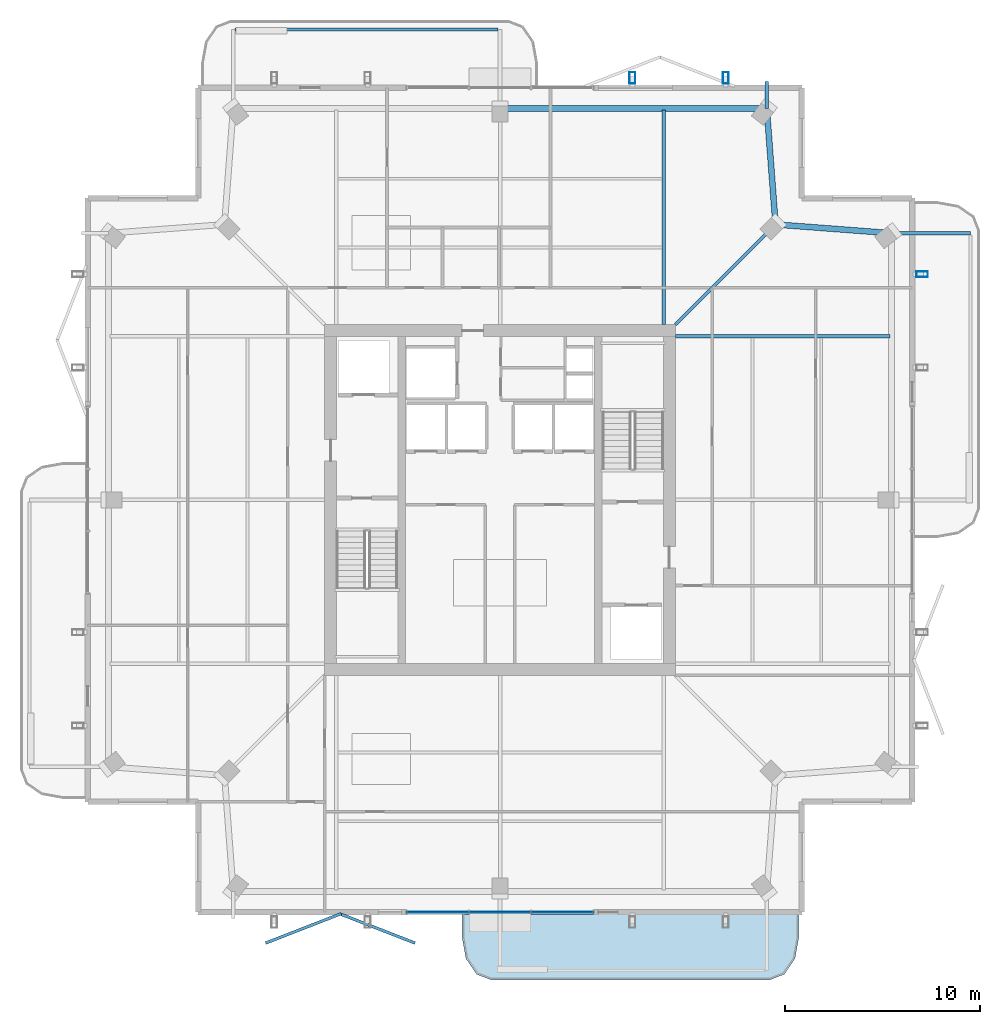
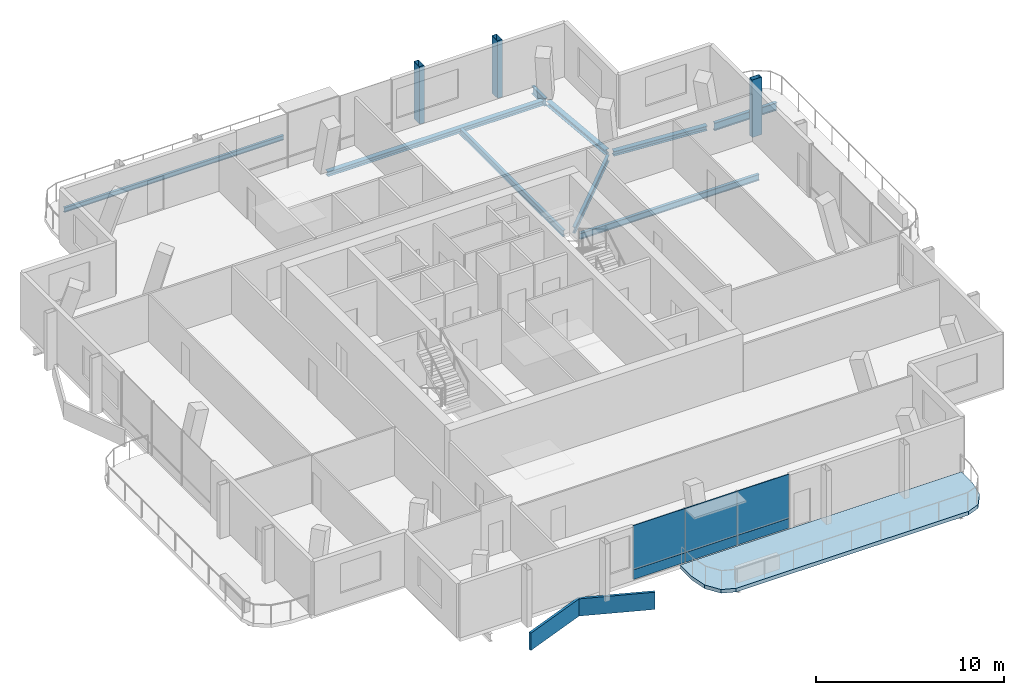
# One storey, part 13 of 20: 9 beams, 8 plates, 3 members, 1 slab, 1 element without a shape of its own.
"""IFC4 building model written with IfcOpenShell, lengths in metres."""

from ifc_helpers import new_model, si_unit, direction, frame, origin, origin_2d, place, context, subcontext, project, spatial, polyline, rectangle, hollow_rectangle, i_section, outline, extrude, material, layer, layer_set, material_profile, profile_set, type_object, element, aggregate, save


model = new_model("IFC4")

# Units and contexts
model_context = context("Model", 3, precision=1e-05, world=origin(), true_north=direction((0.0, 1.0)))
body_context = subcontext(model_context, "Body", "Model", "MODEL_VIEW")
ifc_project = project(units=[si_unit("LENGTHUNIT", "METRE"), si_unit("AREAUNIT", "SQUARE_METRE"), si_unit("VOLUMEUNIT", "CUBIC_METRE"), si_unit("PLANEANGLEUNIT", "RADIAN"), si_unit("MASSUNIT", "GRAM", prefix="KILO")], contexts=[model_context])

# Site, building, storey
site_placement = place(None, origin())
site = spatial("IfcSite", under=ifc_project, at=site_placement, CompositionType="ELEMENT")
building_placement = place(site_placement, origin())
building = spatial("IfcBuilding", under=site, at=building_placement, Name="Belovzor Exchange Tower", CompositionType="ELEMENT")
storey_placement = place(building_placement, frame((0.0, 0.0, 351.75)))
storey = spatial("IfcBuildingStorey", under=building, at=storey_placement, Name="L88", CompositionType="ELEMENT", Elevation=351.75)

# Beams
ifc_material_1 = material(Name="Steel S355", Category="steel")
ifc_material_profile_1 = material_profile(ifc_material_1, i_section(OverallWidth=0.199951171875, OverallDepth=0.5, WebThickness=0.01025390625, FlangeThickness=0.01611328125, at=origin_2d()))
ifc_profile_set_1 = profile_set([ifc_material_profile_1], Name="Steel S355")
beam_type_1 = type_object("IfcBeamType", Name="Planted Balcony Cantilever Beam IPE 500", PredefinedType="BEAM", material=ifc_profile_set_1)
beam_1_placement = place(storey_placement, frame((49.1201171875, 42.5, -0.489990234375), z_axis=(1.0, 0.0, 0.0), x_axis=(0.0, 1.0, 0.0)))
element("IfcBeam", 1, at=beam_1_placement, inside=storey, type_object=beam_type_1, Name="BC-500 Planted Balcony Cantilever Beam IPE 500", PredefinedType="BEAM", context=body_context, shape_type="SweptSolid", body=[
    extrude(i_section(OverallWidth=0.199951171875, OverallDepth=0.5, WebThickness=0.01025390625, FlangeThickness=0.01611328125, at=origin_2d()), origin(), (0.0, 0.0, 1.0), 3.849853515625),
])
beam_2_placement = place(storey_placement, frame((42.5, 48.89990234375, -0.489990234375), z_axis=(0.0, 1.0, 0.0), x_axis=(-1.0, 0.0, 0.0)))
element("IfcBeam", 2, at=beam_2_placement, inside=storey, type_object=beam_type_1, Name="BC-500 Planted Balcony Cantilever Beam IPE 500", PredefinedType="BEAM", context=body_context, shape_type="SweptSolid", body=[
    extrude(i_section(OverallWidth=0.199951171875, OverallDepth=0.5, WebThickness=0.01025390625, FlangeThickness=0.01611328125, at=origin_2d()), origin(), (0.0, 0.0, 1.0), 1.400146484375),
])
ifc_material_2 = material(Name="Steel S355", Category="steel")
ifc_material_profile_2 = material_profile(ifc_material_2, i_section(OverallWidth=0.14990234375, OverallDepth=0.300048828125, WebThickness=0.007080078125, FlangeThickness=0.0107421875, at=origin_2d()))
ifc_profile_set_2 = profile_set([ifc_material_profile_2], Name="Steel S355")
beam_type_2 = type_object("IfcBeamType", Name="Planted Balcony Fascia Edge Beam IPE 300", PredefinedType="BEAM", material=ifc_profile_set_2)
beam_3_placement = place(storey_placement, frame((28.699951171875, 52.969970703125, -0.389892578125), z_axis=(-1.0, 0.0, 0.0), x_axis=(0.0, -1.0, 0.0)))
element("IfcBeam", 3, at=beam_3_placement, inside=storey, type_object=beam_type_2, Name="BC-300 Planted Balcony Fascia Edge Beam IPE 300", PredefinedType="BEAM", context=body_context, shape_type="SweptSolid", body=[
    extrude(i_section(OverallWidth=0.14990234375, OverallDepth=0.300048828125, WebThickness=0.007080078125, FlangeThickness=0.0107421875, at=origin_2d()), origin(), (0.0, 0.0, 1.0), 13.5),
])

# Members
ifc_material_3 = material(Name="Extruded Architectural Terracotta on Steel S355 Carrier", Category="masonry")
ifc_material_profile_3 = material_profile(ifc_material_3, hollow_rectangle(XDim=0.300048828125, YDim=0.60009765625, WallThickness=0.01611328125, at=origin_2d()))
ifc_profile_set_3 = profile_set([ifc_material_profile_3], Name="Extruded Architectural Terracotta on Steel S355 Carrier")
member_type = type_object("IfcMemberType", Name="Upper Crown Terracotta Fin Assembly 550", PredefinedType="USERDEFINED", material=ifc_profile_set_3)
for number, where, z_axis, x_axis, name in (
    (4, (35.60009765625, 50.47509765625, -0.239990234375), (0.0, 0.0, 1.0), (1.0, 0.0, 0.0), "FIN-TC055 Terracotta Facade Fin L88 N3"),
    (5, (40.39990234375, 50.47509765625, -0.239990234375), (0.0, 0.0, 1.0), (1.0, 0.0, 0.0), "FIN-TC055 Terracotta Facade Fin L88 N4"),
    (6, (50.47509765625, 40.39990234375, -0.239990234375), (0.0, 0.0, 1.0), (0.0, 1.0, 0.0), "FIN-TC055 Terracotta Facade Fin L88 E4"),
):
    element("IfcMember", number, at=place(storey_placement, frame(where, z_axis=z_axis, x_axis=x_axis)), inside=storey, type_object=member_type, Name=name, ObjectType="FIN", PredefinedType="USERDEFINED", context=body_context, shape_type="SweptSolid", body=[
        extrude(hollow_rectangle(XDim=0.300048828125, YDim=0.60009765625, WallThickness=0.01611328125, at=origin_2d()), origin(), (0.0, 0.0, 1.0), 3.72998046875),
    ])

# Beams
ifc_material_4 = material(Name="Steel S355", Category="steel")
ifc_material_profile_4 = material_profile(ifc_material_4, i_section(OverallWidth=0.179931640625, OverallDepth=0.39990234375, WebThickness=0.008544921875, FlangeThickness=0.013427734375, at=origin_2d()))
ifc_profile_set_4 = profile_set([ifc_material_profile_4], Name="Steel S355")
beam_type_3 = type_object("IfcBeamType", Name="Zone 5-6 Radial Composite Floor Beam IPE 400", PredefinedType="BEAM", material=ifc_profile_set_4)
for number, where, z_axis, x_axis, name in (
    (7, (37.199951171875, 37.800048828125, -0.43994140625), (0.0, 1.0, 0.0), (-1.0, 0.0, 0.0), "FB-400 Zone 5-6 Radial Composite Floor Beam IPE 400"),
    (8, (37.800048828125, 37.199951171875, -0.43994140625), (1.0, 0.0, 0.0), (0.0, 1.0, 0.0), "FB-400 Zone 5-6 Radial Composite Floor Beam IPE 400"),
):
    element("IfcBeam", number, at=place(storey_placement, frame(where, z_axis=z_axis, x_axis=x_axis)), inside=storey, type_object=beam_type_3, Name=name, PredefinedType="BEAM", context=body_context, shape_type="SweptSolid", body=[
        extrude(i_section(OverallWidth=0.179931640625, OverallDepth=0.39990234375, WebThickness=0.008544921875, FlangeThickness=0.013427734375, at=origin_2d()), origin(), (0.0, 0.0, 1.0), 11.02490234375),
    ])
beam_4_placement = place(storey_placement, frame((37.800048828125, 37.800048828125, -0.43994140625), z_axis=(0.707106781187, 0.707106781187, 0.0), x_axis=(-0.707106781187, 0.707106781187, 0.0)))
element("IfcBeam", 9, at=beam_4_placement, inside=storey, type_object=beam_type_3, Name="FB-400 Zone 5-6 Radial Composite Floor Beam IPE 400", PredefinedType="BEAM", context=body_context, shape_type="SweptSolid", body=[
    extrude(i_section(OverallWidth=0.179931640625, OverallDepth=0.39990234375, WebThickness=0.008544921875, FlangeThickness=0.013427734375, at=origin_2d()), origin(), (0.0, 0.0, 1.0), 7.000244140625),
])
ifc_material_5 = material(Name="Steel S355", Category="steel")
ifc_material_profile_5 = material_profile(ifc_material_5, i_section(OverallWidth=0.300048828125, OverallDepth=0.300048828125, WebThickness=0.008544921875, FlangeThickness=0.013916015625, at=origin_2d()))
ifc_profile_set_5 = profile_set([ifc_material_profile_5], Name="Steel S355")
beam_type_4 = type_object("IfcBeamType", Name="Zone 6 Primary Girder HEA 300", PredefinedType="BEAM", material=ifc_profile_set_5)
for number, where, z_axis, x_axis, name in (
    (10, (48.680908203125, 42.51708984375, -0.389892578125), (-0.99716387033, 0.075260983968, 0.0), (-0.075260983968, -0.99716387033, 0.0), "FG-Z6 Zone 6 Primary Girder HEA 300"),
    (11, (42.93310546875, 43.1689453125, -0.389892578125), (-0.075260983968, 0.99716387033, 0.0), (-0.99716387033, -0.075260983968, 0.0), "FG-Z6 Zone 6 Primary Girder HEA 300"),
):
    element("IfcBeam", number, at=place(storey_placement, frame(where, z_axis=z_axis, x_axis=x_axis)), inside=storey, type_object=beam_type_4, Name=name, PredefinedType="BEAM", context=body_context, shape_type="SweptSolid", body=[
        extrude(i_section(OverallWidth=0.300048828125, OverallDepth=0.300048828125, WebThickness=0.008544921875, FlangeThickness=0.013916015625, at=origin_2d()), origin(), (0.0, 0.0, 1.0), 5.527587890625),
    ])
beam_5_placement = place(storey_placement, frame((42.280029296875, 48.89990234375, -0.389892578125), z_axis=(-1.0, 0.0, 0.0), x_axis=(0.0, -1.0, 0.0)))
element("IfcBeam", 12, at=beam_5_placement, inside=storey, type_object=beam_type_4, Name="FG-Z6 Zone 6 Primary Girder HEA 300", PredefinedType="BEAM", context=body_context, shape_type="SweptSolid", body=[
    extrude(i_section(OverallWidth=0.300048828125, OverallDepth=0.300048828125, WebThickness=0.008544921875, FlangeThickness=0.013916015625, at=origin_2d()), origin(), (0.0, 0.0, 1.0), 13.260009765625),
])

# Curtain wall, plates
ifc_material_6 = material(Name="Anodised Aluminium Framing", Category="aluminium")
ifc_layer_1 = layer(ifc_material_6, 0.179931640625)
ifc_layer_set_1 = layer_set([ifc_layer_1], Name="Anodised Aluminium Framing")
curtain_wall_type = type_object("IfcCurtainWallType", Name="Recessed Loggia Low-Iron Triple-Glazed Curtain Wall", PredefinedType="NOTDEFINED", material=ifc_layer_set_1)
curtain_wall_placement = place(storey_placement, origin())
curtain_wall = element("IfcCurtainWall", 13, at=curtain_wall_placement, inside=storey, type_object=curtain_wall_type, Name="CW3 Recessed Loggia Low-Iron Triple-Glazed Curtain Wall L88", PredefinedType="NOTDEFINED")
ifc_material_7 = material(Name="Solar-Control Triple Glazing", Category="glass")
ifc_layer_2 = layer(ifc_material_7, 0.0439453125)
ifc_layer_set_2 = layer_set([ifc_layer_2], Name="Solar-Control Triple Glazing")
plate_type_1 = type_object("IfcPlateType", Name="Insulated Solar Glazing Curtain Panel 44", PredefinedType="CURTAIN_PANEL", material=ifc_layer_set_2)
plate_1_placement = place(storey_placement, frame((32.0, 7.6298828125, 0.6298828125), z_axis=(0.0, 0.0, 1.0), x_axis=(-1.0, 0.0, 0.0)))
plate_1 = element("IfcPlate", 14, at=plate_1_placement, type_object=plate_type_1, Name="GLZ-44 Glazed Curtain Panel 1", PredefinedType="CURTAIN_PANEL", context=body_context, shape_type="SweptSolid", body=[
    extrude(rectangle(XDim=3.18408203125, YDim=0.0439453125, at=origin_2d()), origin(), (0.0, 0.0, 1.0), 2.860107421875),
])
plate_2_placement = place(storey_placement, frame((28.800048828125, 7.6298828125, 0.6298828125), z_axis=(0.0, 0.0, 1.0), x_axis=(-1.0, 0.0, 0.0)))
plate_2 = element("IfcPlate", 15, at=plate_2_placement, type_object=plate_type_1, Name="GLZ-44 Glazed Curtain Panel 2", PredefinedType="CURTAIN_PANEL", context=body_context, shape_type="SweptSolid", body=[
    extrude(rectangle(XDim=3.18408203125, YDim=0.0439453125, at=origin_2d()), origin(), (0.0, 0.0, 1.0), 2.860107421875),
])
plate_3_placement = place(storey_placement, frame((25.60009765625, 7.6298828125, 0.6298828125), z_axis=(0.0, 0.0, 1.0), x_axis=(-1.0, 0.0, 0.0)))
plate_3 = element("IfcPlate", 16, at=plate_3_placement, type_object=plate_type_1, Name="GLZ-44 Glazed Curtain Panel 3", PredefinedType="CURTAIN_PANEL", context=body_context, shape_type="SweptSolid", body=[
    extrude(rectangle(XDim=3.18408203125, YDim=0.0439453125, at=origin_2d()), origin(), (0.0, 0.0, 1.0), 2.860107421875),
])
ifc_material_8 = material(Name="Extruded Architectural Terracotta", Category="masonry")
ifc_layer_3 = layer(ifc_material_8, 0.090087890625)
ifc_layer_set_3 = layer_set([ifc_layer_3], Name="Extruded Architectural Terracotta")
plate_type_2 = type_object("IfcPlateType", Name="Terracotta Shadow-Box Spandrel Panel 90", PredefinedType="CURTAIN_PANEL", material=ifc_layer_set_3)
plate_4_placement = place(storey_placement, frame((32.0, 7.6298828125, 0.0), z_axis=(0.0, 0.0, 1.0), x_axis=(-1.0, 0.0, 0.0)))
plate_4 = element("IfcPlate", 17, at=plate_4_placement, type_object=plate_type_2, Name="SPD-90 Spandrel Panel 1", PredefinedType="CURTAIN_PANEL", context=body_context, shape_type="SweptSolid", body=[
    extrude(rectangle(XDim=3.18408203125, YDim=0.090087890625, at=origin_2d()), origin(), (0.0, 0.0, 1.0), 0.6259765625),
])
plate_5_placement = place(storey_placement, frame((28.800048828125, 7.6298828125, 0.0), z_axis=(0.0, 0.0, 1.0), x_axis=(-1.0, 0.0, 0.0)))
plate_5 = element("IfcPlate", 18, at=plate_5_placement, type_object=plate_type_2, Name="SPD-90 Spandrel Panel 2", PredefinedType="CURTAIN_PANEL", context=body_context, shape_type="SweptSolid", body=[
    extrude(rectangle(XDim=3.18408203125, YDim=0.090087890625, at=origin_2d()), origin(), (0.0, 0.0, 1.0), 0.6259765625),
])
plate_6_placement = place(storey_placement, frame((25.60009765625, 7.6298828125, 0.0), z_axis=(0.0, 0.0, 1.0), x_axis=(-1.0, 0.0, 0.0)))
plate_6 = element("IfcPlate", 19, at=plate_6_placement, type_object=plate_type_2, Name="SPD-90 Spandrel Panel 3", PredefinedType="CURTAIN_PANEL", context=body_context, shape_type="SweptSolid", body=[
    extrude(rectangle(XDim=3.18408203125, YDim=0.090087890625, at=origin_2d()), origin(), (0.0, 0.0, 1.0), 0.6259765625),
])
aggregate(curtain_wall, [plate_4, plate_1, plate_5, plate_2, plate_6, plate_3])

# Slab
ifc_material_9 = material(Name="Concrete C40/50", Category="concrete")
ifc_layer_4 = layer(ifc_material_9, 0.239990234375)
ifc_layer_set_4 = layer_set([ifc_layer_4], Name="Concrete C40/50")
slab_type = type_object("IfcSlabType", Name="Thermally Broken Upper Balcony Slab 240", PredefinedType="FLOOR", material=ifc_layer_set_4)
slab_placement = place(storey_placement, frame((0.0, 0.0, -0.239990234375)))
element("IfcSlab", 20, at=slab_placement, inside=storey, type_object=slab_type, Name="SL-BAL220 Planted Balcony Loggia L88 South", PredefinedType="FLOOR", context=body_context, shape_type="SweptSolid", body=[
    extrude(outline(polyline([(26.85009765625, 7.514892578125), (26.85009765625, 6.35009765625), (27.051025390625, 5.25), (27.60009765625, 4.445068359375), (28.35009765625, 4.14990234375), (42.64990234375, 4.14990234375), (43.39990234375, 4.445068359375), (43.948974609375, 5.25), (44.14990234375, 6.35009765625), (44.14990234375, 7.514892578125), (26.85009765625, 7.514892578125)])), origin(), (0.0, 0.0, 1.0), 0.239990234375),
])

# Plates
ifc_material_10 = material(Name="Extruded Architectural Terracotta", Category="masonry")
ifc_layer_5 = layer(ifc_material_10, 0.14990234375)
ifc_layer_set_5 = layer_set([ifc_layer_5], Name="Extruded Architectural Terracotta")
plate_type_3 = type_object("IfcPlateType", Name="Upper-Crown Deep Folded Zigzag Terracotta Spandrel Louvre 150", PredefinedType="USERDEFINED", material=ifc_layer_set_5)
for number, where, z_axis, x_axis, name in (
    (21, (18.699951171875, 6.800048828125, -1.10498046875), (0.0, 0.0, 1.0), (0.931817969421, 0.362925986758, 0.0), "LVR-ZZ3 Zigzag Terracotta Spandrel Louvre L88 S1A"),
    (22, (22.5, 6.800048828125, -1.10498046875), (0.0, 0.0, 1.0), (0.931817969421, -0.362925986758, 0.0), "LVR-ZZ3 Zigzag Terracotta Spandrel Louvre L88 S1B"),
):
    element("IfcPlate", number, at=place(storey_placement, frame(where, z_axis=z_axis, x_axis=x_axis)), inside=storey, type_object=plate_type_3, Name=name, ObjectType="SPANDREL_LOUVRE", PredefinedType="USERDEFINED", context=body_context, shape_type="SweptSolid", body=[
        extrude(rectangle(XDim=4.157958984375, YDim=0.14990234375, at=origin_2d()), origin(), (0.0, 0.0, 1.0), 1.1201171875),
    ])

save(model, "model.ifc")
